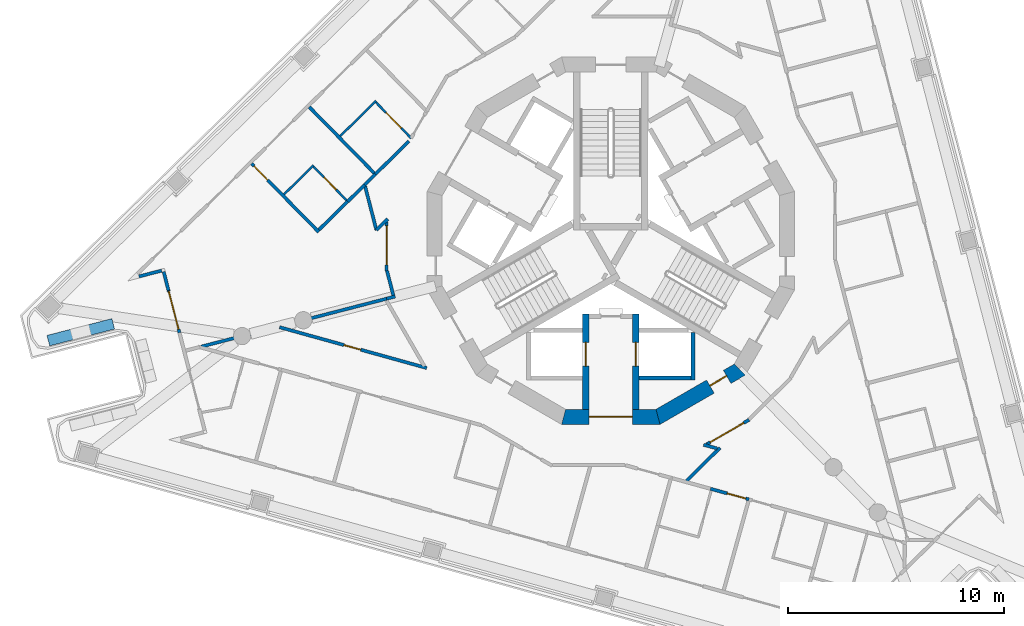
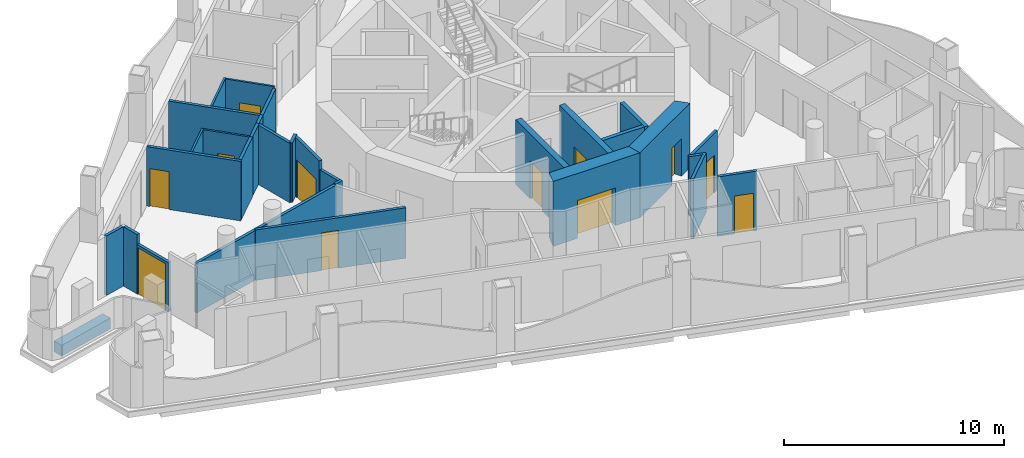
# One storey, part 3 of 14: 31 walls, 12 doors, 12 openings.
"""IFC4 building model written with IfcOpenShell, lengths in metres."""

from ifc_helpers import new_model, si_unit, direction, frame, frame_2d, origin, place, context, subcontext, project, spatial, polyline, rectangle, outline, extrude, material, layer, layer_set, type_object, element, fill, save


model = new_model("IFC4")

# Units and contexts
model_context = context("Model", 3, precision=1e-05, world=origin(), true_north=direction((0.0, 1.0)))
body_context = subcontext(model_context, "Body", "Model", "MODEL_VIEW")
ifc_project = project(units=[si_unit("LENGTHUNIT", "METRE"), si_unit("AREAUNIT", "SQUARE_METRE"), si_unit("VOLUMEUNIT", "CUBIC_METRE"), si_unit("PLANEANGLEUNIT", "RADIAN"), si_unit("MASSUNIT", "GRAM", prefix="KILO")], contexts=[model_context])

# Site, building, storey
site_placement = place(None, origin())
site = spatial("IfcSite", under=ifc_project, at=site_placement, CompositionType="ELEMENT")
building_placement = place(site_placement, origin())
building = spatial("IfcBuilding", under=site, at=building_placement, Name="Trine Commons Tower", CompositionType="ELEMENT")
storey_placement = place(building_placement, frame((0.0, 0.0, 245.699951171875)))
storey = spatial("IfcBuildingStorey", under=building, at=storey_placement, Name="L64", CompositionType="ELEMENT", Elevation=245.699951171875)

# Wall, opening, door
ifc_material_1 = material(Name="Aluminium-framed insulated wall panel", Category="aluminium")
ifc_layer_1 = layer(ifc_material_1, 0.14990234375)
ifc_layer_set_1 = layer_set([ifc_layer_1], Name="Aluminium-framed insulated wall panel")
wall_type_1 = type_object("IfcWallType", Name="Glazed frame wall 150, EI 60", PredefinedType="SOLIDWALL", material=ifc_layer_set_1)
wall_1_placement = place(storey_placement, frame((60.0390625, 58.2451171875, 0.0), z_axis=(0.0, 0.0, 1.0), x_axis=(-0.250341838346, 0.968157509899, 0.0)))
wall_1 = element("IfcWall", 1, at=wall_1_placement, inside=storey, type_object=wall_type_1, Name="Glazed frame wall P3.4", PredefinedType="SOLIDWALL", context=body_context, shape_type="SweptSolid", body=[
    extrude(outline(polyline([(0.0, -0.074951171875), (2.021484375, -0.074951171875), (2.021484375, 0.074951171875), (0.0, 0.074951171875), (0.0, -0.074951171875)])), origin(), (0.0, 0.0, 1.0), 2.75),
])
opening_1_placement = place(wall_1_placement, frame((0.17138671875, 0.0, 0.0)))
opening_1 = element("IfcOpeningElement", 2, at=opening_1_placement, cuts=wall_1, Name="Opening BD-7P3-02", PredefinedType="OPENING", context=body_context, shape_type="SweptSolid", body=[
    extrude(rectangle(XDim=1.800048828125, YDim=2.60009765625, at=frame_2d((0.89990234375, 1.300048828125))), frame((0.0, 0.0849609375, 0.0), z_axis=(0.0, -1.0, 0.0), x_axis=(1.0, 0.0, 0.0)), (0.0, 0.0, 1.0), 0.169921875),
])
ifc_material_2 = material(Name="Anodised aluminium frame with double glazing", Category="aluminium")
door_type_1 = type_object("IfcDoorType", Name="Sliding loggia door 1800x2600", OperationType="SLIDING_TO_LEFT", PredefinedType="DOOR", material=ifc_material_2)
door_1_placement = place(opening_1_placement, origin())
door_1 = element("IfcDoor", 3, at=door_1_placement, inside=storey, type_object=door_type_1, Name="Loggia door P3 2", OperationType="SLIDING_TO_LEFT", OverallHeight=2.60009765625, OverallWidth=1.800048828125, PredefinedType="DOOR", context=body_context, shape_type="SweptSolid", body=[
    extrude(rectangle(XDim=1.800048828125, YDim=2.60009765625, at=frame_2d((0.89990234375, 1.300048828125))), frame((0.0, 0.02490234375, 0.0), z_axis=(0.0, -1.0, 0.0), x_axis=(1.0, 0.0, 0.0)), (0.0, 0.0, 1.0), 0.050048828125),
])
fill(opening_1, door_1)

# Walls
wall_2_placement = place(storey_placement, frame((59.532958984375, 60.202392578125, 0.0), z_axis=(0.0, 0.0, 1.0), x_axis=(-0.250284169086, 0.968172419926, 0.0)))
element("IfcWall", 4, at=wall_2_placement, inside=storey, type_object=wall_type_1, Name="Glazed frame wall P3.5", PredefinedType="SOLIDWALL", context=body_context, shape_type="SweptSolid", body=[
    extrude(outline(polyline([(0.889892578125, 0.074951171875), (0.0, 0.074951171875), (0.0, -0.074951171875), (0.889892578125, -0.074951171875), (0.889892578125, 0.074951171875)])), origin(), (0.0, 0.0, 1.0), 3.300048828125),
])
wall_3_placement = place(storey_placement, frame((59.3251953125, 61.145263671875, 0.0), z_axis=(0.0, 0.0, 1.0), x_axis=(-0.968156774456, -0.250344682538, 0.0)))
element("IfcWall", 5, at=wall_3_placement, inside=storey, type_object=wall_type_1, Name="Glazed frame wall R12", PredefinedType="SOLIDWALL", context=body_context, shape_type="SweptSolid", body=[
    extrude(outline(polyline([(0.110107421875, 0.074951171875), (0.110107421875, -0.074951171875), (1.19580078125, -0.074951171875), (1.19580078125, 0.074951171875), (0.110107421875, 0.074951171875)])), origin(), (0.0, 0.0, 1.0), 3.300048828125),
])
ifc_material_3 = material(Name="Planter trough, precast concrete C40/50", Category="concrete")
ifc_layer_2 = layer(ifc_material_3, 0.5)
ifc_layer_set_2 = layer_set([ifc_layer_2], Name="Planter trough, precast concrete C40/50")
wall_type_2 = type_object("IfcWallType", Name="Planter trough 500x600", PredefinedType="PARAPET", material=ifc_layer_set_2)
wall_4_placement = place(storey_placement, frame((56.974609375, 58.65234375, 0.0), z_axis=(0.0, 0.0, 1.0), x_axis=(-0.968151190511, -0.250366276306, 0.0)))
element("IfcWall", 6, at=wall_4_placement, inside=storey, type_object=wall_type_2, Name="Planter 3", PredefinedType="PARAPET", context=body_context, shape_type="SweptSolid", body=[
    extrude(rectangle(XDim=3.099853515625, YDim=0.5, at=frame_2d((1.5498046875, 0.0))), origin(), (0.0, 0.0, 1.0), 0.60009765625),
])

# Wall, opening, door
ifc_material_4 = material(Name="Concrete C50/60", Category="concrete")
ifc_layer_3 = layer(ifc_material_4, 0.300048828125)
ifc_layer_set_3 = layer_set([ifc_layer_3], Name="Concrete C50/60")
wall_type_3 = type_object("IfcWallType", Name="RC shear wall 300 mm, C50/60", PredefinedType="SHEAR", material=ifc_layer_set_3)
wall_5_placement = place(storey_placement, frame((78.85009765625, 59.10009765625, 0.0), z_axis=(0.0, 0.0, 1.0), x_axis=(0.0, -1.0, 0.0)))
wall_5 = element("IfcWall", 7, at=wall_5_placement, inside=storey, type_object=wall_type_3, Name="Core cross wall SWC-03 L64", PredefinedType="SHEAR", context=body_context, shape_type="SweptSolid", body=[
    extrude(rectangle(XDim=4.400146484375, YDim=0.300048828125, at=frame_2d((2.2001953125, 0.0))), origin(), (0.0, 0.0, 1.0), 3.60009765625),
])
opening_2_placement = place(wall_5_placement, frame((1.300048828125, 0.0, 0.0)))
opening_2 = element("IfcOpeningElement", 8, at=opening_2_placement, cuts=wall_5, Name="Opening LD10", PredefinedType="OPENING", context=body_context, shape_type="SweptSolid", body=[
    extrude(rectangle(XDim=1.10009765625, YDim=2.10009765625, at=frame_2d((0.550048828125, 1.050048828125))), frame((0.0, 0.159912109375, 0.0), z_axis=(0.0, -1.0, 0.0), x_axis=(1.0, 0.0, 0.0)), (0.0, 0.0, 1.0), 0.320068359375),
])
ifc_material_5 = material(Name="Stainless steel sliding door leaves", Category="steel")
door_type_2 = type_object("IfcDoorType", Name="Lift landing door, centre-opening sliding 1100 x 2100, FD90", OperationType="DOUBLE_DOOR_SLIDING", PredefinedType="DOOR", material=ifc_material_5)
door_2_placement = place(opening_2_placement, origin())
door_2 = element("IfcDoor", 9, at=door_2_placement, inside=storey, type_object=door_type_2, Name="Lift landing door FF2 L64", OperationType="DOUBLE_DOOR_SLIDING", OverallHeight=2.10009765625, OverallWidth=1.10009765625, PredefinedType="DOOR", context=body_context, shape_type="SweptSolid", body=[
    extrude(rectangle(XDim=1.10009765625, YDim=2.10009765625, at=frame_2d((0.550048828125, 1.050048828125))), frame((0.0, 0.02490234375, 0.0), z_axis=(0.0, -1.0, 0.0), x_axis=(1.0, 0.0, 0.0)), (0.0, 0.0, 1.0), 0.050048828125),
])
fill(opening_2, door_2)

wall_6_placement = place(storey_placement, frame((81.14990234375, 59.10009765625, 0.0), z_axis=(0.0, 0.0, 1.0), x_axis=(0.0, -1.0, 0.0)))
wall_6 = element("IfcWall", 10, at=wall_6_placement, inside=storey, type_object=wall_type_3, Name="Core cross wall SWC-04 L64", PredefinedType="SHEAR", context=body_context, shape_type="SweptSolid", body=[
    extrude(rectangle(XDim=4.400146484375, YDim=0.300048828125, at=frame_2d((2.2001953125, 0.0))), origin(), (0.0, 0.0, 1.0), 3.60009765625),
])
opening_3_placement = place(wall_6_placement, frame((1.300048828125, 0.0, 0.0)))
opening_3 = element("IfcOpeningElement", 11, at=opening_3_placement, cuts=wall_6, Name="Opening LD9", PredefinedType="OPENING", context=body_context, shape_type="SweptSolid", body=[
    extrude(rectangle(XDim=1.10009765625, YDim=2.10009765625, at=frame_2d((0.550048828125, 1.050048828125))), frame((0.0, 0.159912109375, 0.0), z_axis=(0.0, -1.0, 0.0), x_axis=(1.0, 0.0, 0.0)), (0.0, 0.0, 1.0), 0.320068359375),
])
door_3_placement = place(opening_3_placement, origin())
door_3 = element("IfcDoor", 12, at=door_3_placement, inside=storey, type_object=door_type_2, Name="Lift landing door FF1 L64", OperationType="DOUBLE_DOOR_SLIDING", OverallHeight=2.10009765625, OverallWidth=1.10009765625, PredefinedType="DOOR", context=body_context, shape_type="SweptSolid", body=[
    extrude(rectangle(XDim=1.10009765625, YDim=2.10009765625, at=frame_2d((0.550048828125, 1.050048828125))), frame((0.0, 0.02490234375, 0.0), z_axis=(0.0, -1.0, 0.0), x_axis=(1.0, 0.0, 0.0)), (0.0, 0.0, 1.0), 0.050048828125),
])
fill(opening_3, door_3)

ifc_layer_4 = layer(ifc_material_4, 0.699951171875)
ifc_layer_set_4 = layer_set([ifc_layer_4], Name="Concrete C50/60")
wall_type_4 = type_object("IfcWallType", Name="RC shear wall 700 mm, C50/60", PredefinedType="SHEAR", material=ifc_layer_set_4)
wall_7_placement = place(storey_placement, frame((77.722412109375, 54.349853515625, 0.0), z_axis=(0.0, 0.0, 1.0), x_axis=(1.0, 0.0, 0.0)))
wall_7 = element("IfcWall", 13, at=wall_7_placement, inside=storey, type_object=wall_type_4, Name="Core wall CWG-10 L64", PredefinedType="SHEAR", context=body_context, shape_type="SweptSolid", body=[
    extrude(outline(polyline([(0.0, -0.35009765625), (4.55517578125, -0.35009765625), (4.36767578125, 0.35009765625), (0.1875, 0.35009765625), (0.0, -0.35009765625)])), origin(), (0.0, 0.0, 1.0), 3.60009765625),
])
opening_4_placement = place(wall_7_placement, frame((1.277587890625, 0.0, 0.0)))
opening_4 = element("IfcOpeningElement", 14, at=opening_4_placement, cuts=wall_7, Name="Opening K16.08", PredefinedType="OPENING", context=body_context, shape_type="SweptSolid", body=[
    extrude(rectangle(XDim=2.0, YDim=2.10009765625, at=frame_2d((1.0, 1.050048828125))), frame((0.0, 0.35986328125, 0.0), z_axis=(0.0, -1.0, 0.0), x_axis=(1.0, 0.0, 0.0)), (0.0, 0.0, 1.0), 0.719970703125),
])
ifc_material_6 = material(Name="Steel door leaves, fire-rated", Category="steel")
door_type_3 = type_object("IfcDoorType", Name="Lobby door, double leaf 2000 x 2100, FD60", OperationType="DOUBLE_DOOR_SINGLE_SWING", PredefinedType="DOOR", material=ifc_material_6)
door_4_placement = place(opening_4_placement, origin())
door_4 = element("IfcDoor", 15, at=door_4_placement, inside=storey, type_object=door_type_3, Name="Lobby door, Service and firefighting lobby L64", OperationType="DOUBLE_DOOR_SINGLE_SWING", OverallHeight=2.10009765625, OverallWidth=2.0, PredefinedType="DOOR", context=body_context, shape_type="SweptSolid", body=[
    extrude(rectangle(XDim=2.0, YDim=2.10009765625, at=frame_2d((1.0, 1.050048828125))), frame((0.0, 0.02490234375, 0.0), z_axis=(0.0, -1.0, 0.0), x_axis=(1.0, 0.0, 0.0)), (0.0, 0.0, 1.0), 0.050048828125),
])
fill(opening_4, door_4)

wall_8_placement = place(storey_placement, frame((82.1025390625, 54.302978515625, 0.0), z_axis=(0.0, 0.0, 1.0), x_axis=(0.866034756103, 0.499983800959, 0.0)))
wall_8 = element("IfcWall", 16, at=wall_8_placement, inside=storey, type_object=wall_type_4, Name="Core wall CWG-11 L64", PredefinedType="SHEAR", context=body_context, shape_type="SweptSolid", body=[
    extrude(outline(polyline([(0.0, -0.35009765625), (4.55517578125, -0.35009765625), (4.36767578125, 0.35009765625), (0.1875, 0.35009765625), (0.0, -0.35009765625)])), origin(), (0.0, 0.0, 1.0), 3.60009765625),
])
opening_5_placement = place(wall_8_placement, frame((2.891845703125, 0.0, 0.0)))
opening_5 = element("IfcOpeningElement", 17, at=opening_5_placement, cuts=wall_8, Name="Opening K16.16", PredefinedType="OPENING", context=body_context, shape_type="SweptSolid", body=[
    extrude(rectangle(XDim=0.89990234375, YDim=2.10009765625, at=frame_2d((0.449951171875, 1.050048828125))), frame((0.0, 0.35986328125, 0.0), z_axis=(0.0, -1.0, 0.0), x_axis=(1.0, 0.0, 0.0)), (0.0, 0.0, 1.0), 0.719970703125),
])
ifc_material_7 = material(Name="Steel door leaf, fire-rated", Category="steel")
door_type_4 = type_object("IfcDoorType", Name="Core room door, single leaf 900 x 2100, FD30S", OperationType="SINGLE_SWING_LEFT", PredefinedType="DOOR", material=ifc_material_7)
door_5_placement = place(opening_5_placement, origin())
door_5 = element("IfcDoor", 18, at=door_5_placement, inside=storey, type_object=door_type_4, Name="Door to Core WC L64", OperationType="SINGLE_SWING_RIGHT", OverallHeight=2.10009765625, OverallWidth=0.89990234375, PredefinedType="DOOR", context=body_context, shape_type="SweptSolid", body=[
    extrude(rectangle(XDim=0.89990234375, YDim=2.10009765625, at=frame_2d((0.449951171875, 1.050048828125))), frame((0.0, 0.0751953125, 0.0), z_axis=(0.0, -1.0, 0.0), x_axis=(1.0, 0.0, 0.0)), (0.0, 0.0, 1.0), 0.050048828125),
])
fill(opening_5, door_5)

# Walls
ifc_material_8 = material(Name="Fire-rated gypsum shaft wall system")
ifc_layer_5 = layer(ifc_material_8, 0.199951171875)
ifc_layer_set_5 = layer_set([ifc_layer_5], Name="Fire-rated gypsum shaft wall system")
wall_type_5 = type_object("IfcWallType", Name="Shaft wall 200 mm, EI 120", PredefinedType="PARTITIONING", material=ifc_layer_set_5)
wall_9_placement = place(storey_placement, frame((81.300048828125, 56.14990234375, 0.0), z_axis=(0.0, 0.0, 1.0), x_axis=(1.0, 0.0, 0.0)))
element("IfcWall", 19, at=wall_9_placement, inside=storey, type_object=wall_type_5, Name="Shaft wall L64", PredefinedType="PARTITIONING", context=body_context, shape_type="SweptSolid", body=[
    extrude(rectangle(XDim=2.39990234375, YDim=0.199951171875, at=frame_2d((1.199951171875, 0.0))), origin(), (0.0, 0.0, 1.0), 3.300048828125),
])
wall_10_placement = place(storey_placement, frame((83.800048828125, 58.257080078125, 0.0), z_axis=(0.0, 0.0, 1.0), x_axis=(0.0, -1.0, 0.0)))
element("IfcWall", 20, at=wall_10_placement, inside=storey, type_object=wall_type_5, Name="Shaft wall L64", PredefinedType="PARTITIONING", context=body_context, shape_type="SweptSolid", body=[
    extrude(rectangle(XDim=2.20703125, YDim=0.199951171875, at=frame_2d((1.103515625, 0.0))), origin(), (0.0, 0.0, 1.0), 3.300048828125),
])
ifc_material_9 = material(Name="Gypsum plasterboard on steel stud", Category="steel")
ifc_layer_6 = layer(ifc_material_9, 0.14990234375)
ifc_layer_set_6 = layer_set([ifc_layer_6], Name="Gypsum plasterboard on steel stud")
wall_type_6 = type_object("IfcWallType", Name="Unit and corridor wall 150 mm, EI 60", PredefinedType="PARTITIONING", material=ifc_layer_set_6)
wall_11_placement = place(storey_placement, frame((61.043701171875, 57.597900390625, 0.0), z_axis=(0.0, 0.0, 1.0), x_axis=(0.968149558091, 0.25037258869, 0.0)))
element("IfcWall", 21, at=wall_11_placement, inside=storey, type_object=wall_type_6, Name="Partition 003", PredefinedType="PARTITIONING", context=body_context, shape_type="SweptSolid", body=[
    extrude(rectangle(XDim=8.86767578125, YDim=0.14990234375, at=frame_2d((4.433837890625, 0.0))), origin(), (0.0, 0.0, 1.0), 2.75),
])

# Wall, opening, door
wall_12_placement = place(storey_placement, frame((63.382080078125, 66.060546875, 0.0), z_axis=(0.0, 0.0, 1.0), x_axis=(0.700914144597, -0.713245653267, 0.0)))
wall_12 = element("IfcWall", 22, at=wall_12_placement, inside=storey, type_object=wall_type_6, Name="Partition 007", PredefinedType="PARTITIONING", context=body_context, shape_type="SweptSolid", body=[
    extrude(rectangle(XDim=4.434814453125, YDim=0.14990234375, at=frame_2d((2.21728515625, 0.0))), origin(), (0.0, 0.0, 1.0), 3.300048828125),
])
opening_6_placement = place(wall_12_placement, frame((0.14990234375, 0.0, 0.0)))
opening_6 = element("IfcOpeningElement", 23, at=opening_6_placement, cuts=wall_12, Name="Opening D-7B04", PredefinedType="OPENING", context=body_context, shape_type="SweptSolid", body=[
    extrude(rectangle(XDim=0.89990234375, YDim=2.10009765625, at=frame_2d((0.449951171875, 1.050048828125))), frame((0.0, 0.0849609375, 0.0), z_axis=(0.0, -1.0, 0.0), x_axis=(1.0, 0.0, 0.0)), (0.0, 0.0, 1.0), 0.169921875),
])
ifc_material_10 = material(Name="Timber fire door set", Category="wood")
door_type_5 = type_object("IfcDoorType", Name="Bedroom door 900 x 2100, FD30S", OperationType="NOTDEFINED", PredefinedType="DOOR", material=ifc_material_10)
door_6_placement = place(opening_6_placement, origin())
door_6 = element("IfcDoor", 24, at=door_6_placement, inside=storey, type_object=door_type_5, Name="Door D-7B04", OperationType="SINGLE_SWING_LEFT", OverallHeight=2.10009765625, OverallWidth=0.89990234375, PredefinedType="DOOR", context=body_context, shape_type="SweptSolid", body=[
    extrude(rectangle(XDim=0.89990234375, YDim=2.10009765625, at=frame_2d((0.449951171875, 1.050048828125))), frame((0.0, 0.02490234375, 0.0), z_axis=(0.0, -1.0, 0.0), x_axis=(1.0, 0.0, 0.0)), (0.0, 0.0, 1.0), 0.050048828125),
])
fill(opening_6, door_6)

wall_13_placement = place(storey_placement, frame((64.67333984375, 58.498046875, 0.0), z_axis=(0.0, 0.0, 1.0), x_axis=(0.963632187737, -0.267232121491, 0.0)))
wall_13 = element("IfcWall", 25, at=wall_13_placement, inside=storey, type_object=wall_type_6, Name="Partition 009", PredefinedType="PARTITIONING", context=body_context, shape_type="SweptSolid", body=[
    extrude(rectangle(XDim=7.064697265625, YDim=0.14990234375, at=frame_2d((3.5322265625, 0.0))), origin(), (0.0, 0.0, 1.0), 2.800048828125),
])
opening_7_placement = place(wall_13_placement, frame((3.094970703125, 0.0, 0.0)))
opening_7 = element("IfcOpeningElement", 26, at=opening_7_placement, cuts=wall_13, Name="Opening D-7B24", PredefinedType="OPENING", context=body_context, shape_type="SweptSolid", body=[
    extrude(rectangle(XDim=0.800048828125, YDim=2.10009765625, at=frame_2d((0.39990234375, 1.050048828125))), frame((0.0, 0.0849609375, 0.0), z_axis=(0.0, -1.0, 0.0), x_axis=(1.0, 0.0, 0.0)), (0.0, 0.0, 1.0), 0.169921875),
])
ifc_material_11 = material(Name="Painted timber", Category="wood")
door_type_6 = type_object("IfcDoorType", Name="Toilet door 800 x 2100, NOT RATED", OperationType="NOTDEFINED", PredefinedType="DOOR", material=ifc_material_11)
door_7_placement = place(opening_7_placement, origin())
door_7 = element("IfcDoor", 27, at=door_7_placement, inside=storey, type_object=door_type_6, Name="Door D-7B24", OperationType="SINGLE_SWING_LEFT", OverallHeight=2.10009765625, OverallWidth=0.800048828125, PredefinedType="DOOR", context=body_context, shape_type="SweptSolid", body=[
    extrude(rectangle(XDim=0.800048828125, YDim=2.10009765625, at=frame_2d((0.39990234375, 1.050048828125))), frame((0.0, 0.02490234375, 0.0), z_axis=(0.0, -1.0, 0.0), x_axis=(1.0, 0.0, 0.0)), (0.0, 0.0, 1.0), 0.050048828125),
])
fill(opening_7, door_7)

# Walls
wall_14_placement = place(storey_placement, frame((66.051025390625, 68.6845703125, 0.0), z_axis=(0.0, 0.0, 1.0), x_axis=(0.700808262034, -0.713349689748, 0.0)))
element("IfcWall", 28, at=wall_14_placement, inside=storey, type_object=wall_type_6, Name="Partition 012", PredefinedType="PARTITIONING", context=body_context, shape_type="SweptSolid", body=[
    extrude(rectangle(XDim=4.360595703125, YDim=0.14990234375, at=frame_2d((2.18017578125, 0.0))), origin(), (0.0, 0.0, 1.0), 3.300048828125),
])
wall_15_placement = place(storey_placement, frame((66.491455078125, 63.003662109375, 0.0), z_axis=(0.0, 0.0, 1.0), x_axis=(0.713284232258, 0.700874884706, 0.0)))
element("IfcWall", 29, at=wall_15_placement, inside=storey, type_object=wall_type_6, Name="Partition 014", PredefinedType="PARTITIONING", context=body_context, shape_type="SweptSolid", body=[
    extrude(rectangle(XDim=1.927978515625, YDim=0.14990234375, at=frame_2d((0.9638671875, 0.0))), origin(), (0.0, 0.0, 1.0), 3.300048828125),
])
wall_16_placement = place(storey_placement, frame((67.825927734375, 64.31494140625, 0.0), z_axis=(0.0, 0.0, 1.0), x_axis=(0.71293534272, 0.701229774825, 0.0)))
element("IfcWall", 30, at=wall_16_placement, inside=storey, type_object=wall_type_6, Name="Partition 017", PredefinedType="PARTITIONING", context=body_context, shape_type="SweptSolid", body=[
    extrude(rectangle(XDim=1.10546875, YDim=0.14990234375, at=frame_2d((0.552734375, 0.0))), origin(), (0.0, 0.0, 1.0), 3.300048828125),
])
wall_17_placement = place(storey_placement, frame((68.630859375, 65.016357421875, 0.0), z_axis=(0.0, 0.0, 1.0), x_axis=(0.250220542644, -0.968188865893, 0.0)))
element("IfcWall", 31, at=wall_17_placement, inside=storey, type_object=wall_type_6, Name="Partition 018", PredefinedType="PARTITIONING", context=body_context, shape_type="SweptSolid", body=[
    extrude(rectangle(XDim=2.0908203125, YDim=0.14990234375, at=frame_2d((1.04541015625, 0.0))), origin(), (0.0, 0.0, 1.0), 3.300048828125),
])
wall_18_placement = place(storey_placement, frame((68.612060546875, 65.091064453125, 0.0), z_axis=(0.0, 0.0, 1.0), x_axis=(0.712699057128, 0.701469923781, 0.0)))
element("IfcWall", 32, at=wall_18_placement, inside=storey, type_object=wall_type_6, Name="Partition 019", PredefinedType="PARTITIONING", context=body_context, shape_type="SweptSolid", body=[
    extrude(rectangle(XDim=0.69580078125, YDim=0.14990234375, at=frame_2d((0.347900390625, 0.0))), origin(), (0.0, 0.0, 1.0), 3.300048828125),
])
wall_19_placement = place(storey_placement, frame((69.10205078125, 65.572998046875, 0.0), z_axis=(0.0, 0.0, 1.0), x_axis=(0.713007842216, 0.701156057478, 0.0)))
element("IfcWall", 33, at=wall_19_placement, inside=storey, type_object=wall_type_6, Name="Partition 022", PredefinedType="PARTITIONING", context=body_context, shape_type="SweptSolid", body=[
    extrude(rectangle(XDim=2.18359375, YDim=0.14990234375, at=frame_2d((1.091796875, 0.0))), origin(), (0.0, 0.0, 1.0), 3.300048828125),
])
wall_20_placement = place(storey_placement, frame((69.157958984375, 62.991943359375, 0.0), z_axis=(0.0, 0.0, 1.0), x_axis=(0.712433157826, 0.701739977221, 0.0)))
element("IfcWall", 34, at=wall_20_placement, inside=storey, type_object=wall_type_6, Name="Partition 023", PredefinedType="PARTITIONING", context=body_context, shape_type="SweptSolid", body=[
    extrude(rectangle(XDim=0.730712890625, YDim=0.14990234375, at=frame_2d((0.365234375, 0.0))), origin(), (0.0, 0.0, 1.0), 3.300048828125),
])
wall_21_placement = place(storey_placement, frame((69.625, 59.81689453125, 0.0), z_axis=(0.0, 0.0, 1.0), x_axis=(0.968355193071, 0.249576080688, 0.0)))
element("IfcWall", 35, at=wall_21_placement, inside=storey, type_object=wall_type_6, Name="Partition 025", PredefinedType="PARTITIONING", context=body_context, shape_type="SweptSolid", body=[
    extrude(rectangle(XDim=0.415771484375, YDim=0.14990234375, at=frame_2d((0.2080078125, 0.0))), origin(), (0.0, 0.0, 1.0), 2.800048828125),
])

# Wall, opening, door
wall_22_placement = place(storey_placement, frame((69.625, 61.10498046875, 0.0), z_axis=(0.0, 0.0, 1.0), x_axis=(0.0, 1.0, 0.0)))
wall_22 = element("IfcWall", 36, at=wall_22_placement, inside=storey, type_object=wall_type_6, Name="Partition 026", PredefinedType="PARTITIONING", context=body_context, shape_type="SweptSolid", body=[
    extrude(rectangle(XDim=2.27197265625, YDim=0.14990234375, at=frame_2d((1.135986328125, 0.0))), origin(), (0.0, 0.0, 1.0), 3.300048828125),
])
opening_8_placement = place(wall_22_placement, frame((0.28271484375, 0.0, 0.0)))
opening_8 = element("IfcOpeningElement", 37, at=opening_8_placement, cuts=wall_22, Name="Opening D-7B03", PredefinedType="OPENING", context=body_context, shape_type="SweptSolid", body=[
    extrude(rectangle(XDim=1.800048828125, YDim=2.10009765625, at=frame_2d((0.89990234375, 1.050048828125))), frame((0.0, 0.0849609375, 0.0), z_axis=(0.0, -1.0, 0.0), x_axis=(1.0, 0.0, 0.0)), (0.0, 0.0, 1.0), 0.169921875),
])
door_type_7 = type_object("IfcDoorType", Name="Cluster entrance door 1800 x 2100, double leaf, FD30S", OperationType="DOUBLE_DOOR_DOUBLE_SWING", PredefinedType="DOOR", material=ifc_material_10)
door_8_placement = place(opening_8_placement, origin())
door_8 = element("IfcDoor", 38, at=door_8_placement, inside=storey, type_object=door_type_7, Name="Door D-7B03", OperationType="DOUBLE_DOOR_DOUBLE_SWING", OverallHeight=2.10009765625, OverallWidth=1.800048828125, PredefinedType="DOOR", context=body_context, shape_type="SweptSolid", body=[
    extrude(rectangle(XDim=1.800048828125, YDim=2.10009765625, at=frame_2d((0.89990234375, 1.050048828125))), frame((0.0, 0.02490234375, 0.0), z_axis=(0.0, -1.0, 0.0), x_axis=(1.0, 0.0, 0.0)), (0.0, 0.0, 1.0), 0.050048828125),
])
fill(opening_8, door_8)

# Walls
wall_23_placement = place(storey_placement, frame((69.643798828125, 61.107421875, 0.0), z_axis=(0.0, 0.0, 1.0), x_axis=(0.249991617467, -0.968248000874, 0.0)))
element("IfcWall", 39, at=wall_23_placement, inside=storey, type_object=wall_type_6, Name="Partition 027", PredefinedType="PARTITIONING", context=body_context, shape_type="SweptSolid", body=[
    extrude(rectangle(XDim=1.169921875, YDim=0.14990234375, at=frame_2d((0.5849609375, 0.0))), origin(), (0.0, 0.0, 1.0), 2.800048828125),
])
wall_24_placement = place(storey_placement, frame((83.506591796875, 51.3955078125, 0.0), z_axis=(0.0, 0.0, 1.0), x_axis=(0.712824796749, 0.701342148412, 0.0)))
element("IfcWall", 40, at=wall_24_placement, inside=storey, type_object=wall_type_6, Name="Partition 059", PredefinedType="PARTITIONING", context=body_context, shape_type="SweptSolid", body=[
    extrude(rectangle(XDim=2.168701171875, YDim=0.14990234375, at=frame_2d((1.08447265625, 0.0))), origin(), (0.0, 0.0, 1.0), 3.300048828125),
])
wall_25_placement = place(storey_placement, frame((84.290771484375, 53.058837890625, 0.0), z_axis=(0.0, 0.0, 1.0), x_axis=(0.964146228047, -0.265371533785, 0.0)))
element("IfcWall", 41, at=wall_25_placement, inside=storey, type_object=wall_type_6, Name="Partition 063", PredefinedType="PARTITIONING", context=body_context, shape_type="SweptSolid", body=[
    extrude(rectangle(XDim=0.65966796875, YDim=0.14990234375, at=frame_2d((0.329833984375, 0.0))), origin(), (0.0, 0.0, 1.0), 3.300048828125),
])

# Wall, opening, door
wall_26_placement = place(storey_placement, frame((84.427978515625, 53.076416015625, 0.0), z_axis=(0.0, 0.0, 1.0), x_axis=(0.866072877359, 0.499917764341, 0.0)))
wall_26 = element("IfcWall", 42, at=wall_26_placement, inside=storey, type_object=wall_type_6, Name="Partition 064", PredefinedType="PARTITIONING", context=body_context, shape_type="SweptSolid", body=[
    extrude(rectangle(XDim=2.2724609375, YDim=0.14990234375, at=frame_2d((1.13623046875, 0.0))), origin(), (0.0, 0.0, 1.0), 3.300048828125),
])
opening_9_placement = place(wall_26_placement, frame((0.188720703125, 0.0, 0.0)))
opening_9 = element("IfcOpeningElement", 43, at=opening_9_placement, cuts=wall_26, Name="Opening D-7B02", PredefinedType="OPENING", context=body_context, shape_type="SweptSolid", body=[
    extrude(rectangle(XDim=1.800048828125, YDim=2.10009765625, at=frame_2d((0.89990234375, 1.050048828125))), frame((0.0, 0.0849609375, 0.0), z_axis=(0.0, -1.0, 0.0), x_axis=(1.0, 0.0, 0.0)), (0.0, 0.0, 1.0), 0.169921875),
])
door_9_placement = place(opening_9_placement, frame((1.800048828125, 0.0, 0.0), z_axis=(0.0, 0.0, 1.0), x_axis=(-1.0, 0.0, 0.0)))
door_9 = element("IfcDoor", 44, at=door_9_placement, inside=storey, type_object=door_type_7, Name="Door D-7B02", OperationType="DOUBLE_DOOR_DOUBLE_SWING", OverallHeight=2.10009765625, OverallWidth=1.800048828125, PredefinedType="DOOR", context=body_context, shape_type="SweptSolid", body=[
    extrude(rectangle(XDim=1.800048828125, YDim=2.10009765625, at=frame_2d((0.89990234375, 1.050048828125))), frame((0.0, 0.02490234375, 0.0), z_axis=(0.0, -1.0, 0.0), x_axis=(1.0, 0.0, 0.0)), (0.0, 0.0, 1.0), 0.050048828125),
])
fill(opening_9, door_9)

wall_27_placement = place(storey_placement, frame((84.61083984375, 51.0224609375, 0.0), z_axis=(0.0, 0.0, 1.0), x_axis=(0.963673001046, -0.267084906077, 0.0)))
wall_27 = element("IfcWall", 45, at=wall_27_placement, inside=storey, type_object=wall_type_6, Name="Partition 065", PredefinedType="PARTITIONING", context=body_context, shape_type="SweptSolid", body=[
    extrude(rectangle(XDim=1.847412109375, YDim=0.14990234375, at=frame_2d((0.923828125, 0.0))), origin(), (0.0, 0.0, 1.0), 3.300048828125),
])
opening_10_placement = place(wall_27_placement, frame((0.79736328125, 0.0, 0.0)))
opening_10 = element("IfcOpeningElement", 46, at=opening_10_placement, cuts=wall_27, Name="Opening D-7B18", PredefinedType="OPENING", context=body_context, shape_type="SweptSolid", body=[
    extrude(rectangle(XDim=0.89990234375, YDim=2.10009765625, at=frame_2d((0.449951171875, 1.050048828125))), frame((0.0, 0.0849609375, 0.0), z_axis=(0.0, -1.0, 0.0), x_axis=(1.0, 0.0, 0.0)), (0.0, 0.0, 1.0), 0.169921875),
])
door_10_placement = place(opening_10_placement, frame((0.89990234375, 0.0, 0.0), z_axis=(0.0, 0.0, 1.0), x_axis=(-1.0, 0.0, 0.0)))
door_10 = element("IfcDoor", 47, at=door_10_placement, inside=storey, type_object=door_type_5, Name="Door D-7B18", OperationType="SINGLE_SWING_LEFT", OverallHeight=2.10009765625, OverallWidth=0.89990234375, PredefinedType="DOOR", context=body_context, shape_type="SweptSolid", body=[
    extrude(rectangle(XDim=0.89990234375, YDim=2.10009765625, at=frame_2d((0.449951171875, 1.050048828125))), frame((0.0, 0.02490234375, 0.0), z_axis=(0.0, -1.0, 0.0), x_axis=(1.0, 0.0, 0.0)), (0.0, 0.0, 1.0), 0.050048828125),
])
fill(opening_10, door_10)

# Wall
ifc_layer_7 = layer(ifc_material_9, 0.10009765625)
ifc_layer_set_7 = layer_set([ifc_layer_7], Name="Gypsum plasterboard on steel stud")
wall_type_7 = type_object("IfcWallType", Name="Unit partition 100 mm, no rating", PredefinedType="PARTITIONING", material=ifc_layer_set_7)
wall_28_placement = place(storey_placement, frame((64.87841796875, 64.6435546875, 0.0), z_axis=(0.0, 0.0, 1.0), x_axis=(0.713293055377, 0.700865905257, 0.0)))
element("IfcWall", 48, at=wall_28_placement, inside=storey, type_object=wall_type_7, Name="Partition 011", PredefinedType="PARTITIONING", context=body_context, shape_type="SweptSolid", body=[
    extrude(rectangle(XDim=1.92529296875, YDim=0.10009765625, at=frame_2d((0.962646484375, 0.0))), origin(), (0.0, 0.0, 1.0), 3.300048828125),
])

# Wall, opening, door
wall_29_placement = place(storey_placement, frame((66.2509765625, 65.92236328125, 0.0), z_axis=(0.0, 0.0, 1.0), x_axis=(0.701018173636, -0.713143407901, 0.0)))
wall_29 = element("IfcWall", 49, at=wall_29_placement, inside=storey, type_object=wall_type_7, Name="Partition 013", PredefinedType="PARTITIONING", context=body_context, shape_type="SweptSolid", body=[
    extrude(rectangle(XDim=2.174560546875, YDim=0.10009765625, at=frame_2d((1.08740234375, 0.0))), origin(), (0.0, 0.0, 1.0), 3.300048828125),
])
opening_11_placement = place(wall_29_placement, frame((0.687255859375, 0.0, 0.0)))
opening_11 = element("IfcOpeningElement", 50, at=opening_11_placement, cuts=wall_29, Name="Opening D-7B26", PredefinedType="OPENING", context=body_context, shape_type="SweptSolid", body=[
    extrude(rectangle(XDim=0.800048828125, YDim=2.10009765625, at=frame_2d((0.39990234375, 1.050048828125))), frame((0.0, 0.06005859375, 0.0), z_axis=(0.0, -1.0, 0.0), x_axis=(1.0, 0.0, 0.0)), (0.0, 0.0, 1.0), 0.1201171875),
])
door_type_8 = type_object("IfcDoorType", Name="Internal door 800 x 2100, NOT RATED", OperationType="NOTDEFINED", PredefinedType="DOOR", material=ifc_material_11)
door_11_placement = place(opening_11_placement, origin())
door_11 = element("IfcDoor", 51, at=door_11_placement, inside=storey, type_object=door_type_8, Name="Door D-7B26", OperationType="SINGLE_SWING_LEFT", OverallHeight=2.10009765625, OverallWidth=0.800048828125, PredefinedType="DOOR", context=body_context, shape_type="SweptSolid", body=[
    extrude(rectangle(XDim=0.800048828125, YDim=2.10009765625, at=frame_2d((0.39990234375, 1.050048828125))), frame((0.0, 0.02490234375, 0.0), z_axis=(0.0, -1.0, 0.0), x_axis=(1.0, 0.0, 0.0)), (0.0, 0.0, 1.0), 0.050048828125),
])
fill(opening_11, door_11)

# Wall
wall_30_placement = place(storey_placement, frame((67.478515625, 67.338623046875, 0.0), z_axis=(0.0, 0.0, 1.0), x_axis=(0.713275639023, 0.700883629982, 0.0)))
element("IfcWall", 52, at=wall_30_placement, inside=storey, type_object=wall_type_7, Name="Partition 016", PredefinedType="PARTITIONING", context=body_context, shape_type="SweptSolid", body=[
    extrude(rectangle(XDim=2.32470703125, YDim=0.10009765625, at=frame_2d((1.162353515625, 0.0))), origin(), (0.0, 0.0, 1.0), 3.300048828125),
])

# Wall, opening, door
wall_31_placement = place(storey_placement, frame((69.135986328125, 68.8974609375, 0.0), z_axis=(0.0, 0.0, 1.0), x_axis=(0.701179250169, -0.712985034297, 0.0)))
wall_31 = element("IfcWall", 53, at=wall_31_placement, inside=storey, type_object=wall_type_7, Name="Partition 021", PredefinedType="PARTITIONING", context=body_context, shape_type="SweptSolid", body=[
    extrude(rectangle(XDim=2.316162109375, YDim=0.10009765625, at=frame_2d((1.158203125, 0.0))), origin(), (0.0, 0.0, 1.0), 3.300048828125),
])
opening_12_placement = place(wall_31_placement, frame((0.657958984375, 0.0, 0.0)))
opening_12 = element("IfcOpeningElement", 54, at=opening_12_placement, cuts=wall_31, Name="Opening D-7B27", PredefinedType="OPENING", context=body_context, shape_type="SweptSolid", body=[
    extrude(rectangle(XDim=1.0, YDim=2.10009765625, at=frame_2d((0.5, 1.050048828125))), frame((0.0, 0.06005859375, 0.0), z_axis=(0.0, -1.0, 0.0), x_axis=(1.0, 0.0, 0.0)), (0.0, 0.0, 1.0), 0.1201171875),
])
door_type_9 = type_object("IfcDoorType", Name="Internal door 1000 x 2100, NOT RATED", OperationType="NOTDEFINED", PredefinedType="DOOR", material=ifc_material_11)
door_12_placement = place(opening_12_placement, origin())
door_12 = element("IfcDoor", 55, at=door_12_placement, inside=storey, type_object=door_type_9, Name="Door D-7B27", OperationType="SINGLE_SWING_LEFT", OverallHeight=2.10009765625, OverallWidth=1.0, PredefinedType="DOOR", context=body_context, shape_type="SweptSolid", body=[
    extrude(rectangle(XDim=1.0, YDim=2.10009765625, at=frame_2d((0.5, 1.050048828125))), frame((0.0, 0.02490234375, 0.0), z_axis=(0.0, -1.0, 0.0), x_axis=(1.0, 0.0, 0.0)), (0.0, 0.0, 1.0), 0.050048828125),
])
fill(opening_12, door_12)

save(model, "model.ifc")
